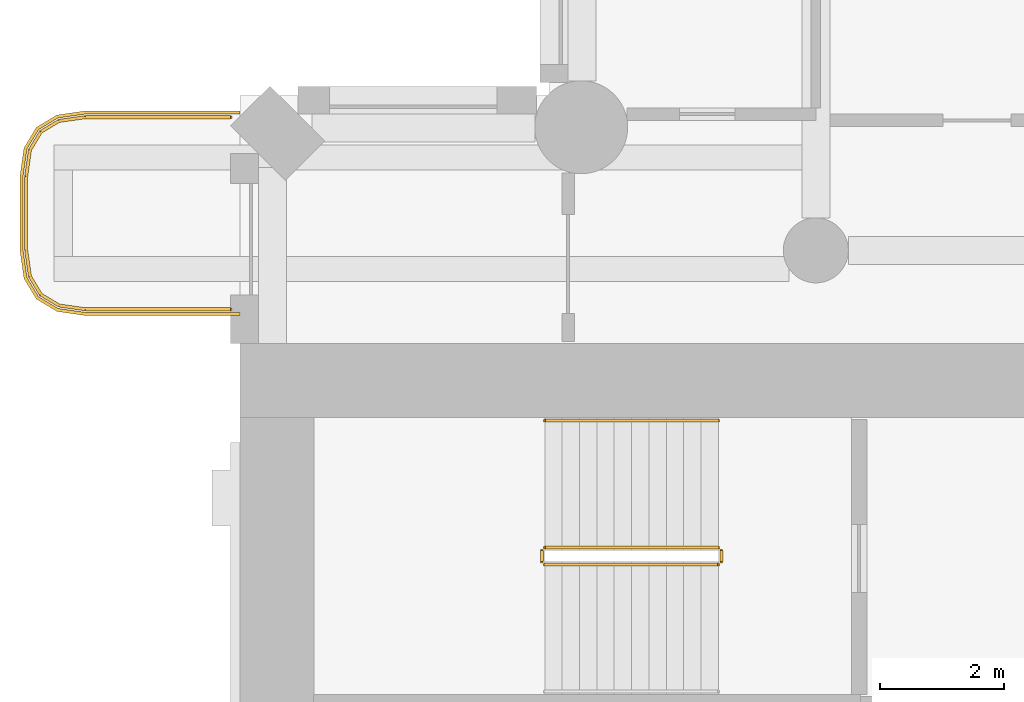
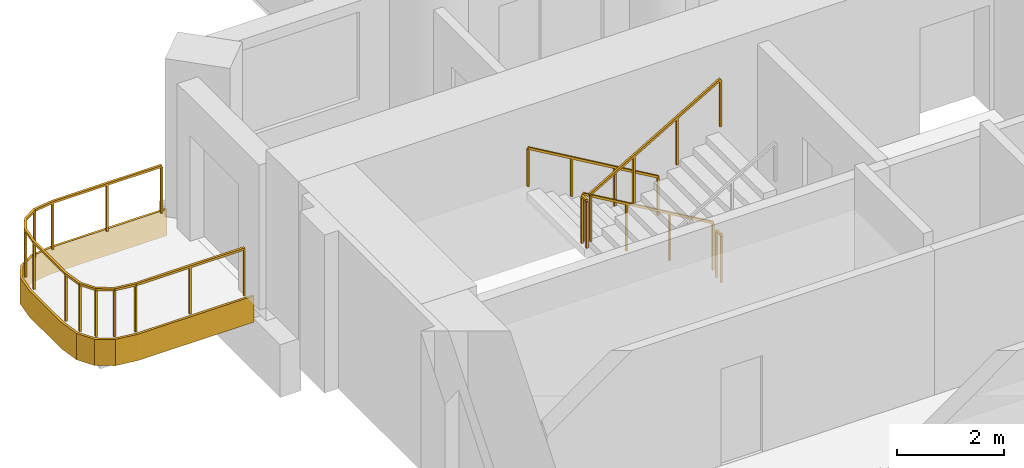
# One storey, part 16 of 19: 6 railings, 1 covering.
"""IFC4 building model written with IfcOpenShell, lengths in metres."""

from ifc_helpers import new_model, si_unit, direction, frame, origin, origin_2d, place, context, subcontext, project, spatial, polyline, rectangle, outline, extrude, material, layer, layer_set, type_object, element, save


model = new_model("IFC4")

# Units and contexts
model_context = context("Model", 3, precision=1e-05, world=origin(), true_north=direction((0.0, 1.0)))
body_context = subcontext(model_context, "Body", "Model", "MODEL_VIEW")
ifc_project = project(units=[si_unit("LENGTHUNIT", "METRE"), si_unit("AREAUNIT", "SQUARE_METRE"), si_unit("VOLUMEUNIT", "CUBIC_METRE"), si_unit("PLANEANGLEUNIT", "RADIAN"), si_unit("MASSUNIT", "GRAM", prefix="KILO")], contexts=[model_context])

# Site, building, storey
site_placement = place(None, origin())
site = spatial("IfcSite", under=ifc_project, at=site_placement, CompositionType="ELEMENT")
building_placement = place(site_placement, origin())
building = spatial("IfcBuilding", under=site, at=building_placement, Name="Cypress Arch Tower", CompositionType="ELEMENT")
storey_placement = place(building_placement, frame((0.0, 0.0, 141.89990234375)))
storey = spatial("IfcBuildingStorey", under=building, at=storey_placement, Name="L31", CompositionType="ELEMENT", Elevation=141.89990234375)

# Covering
ifc_material_1 = material(Name="White powder-coated aluminium fascia", Category="aluminium")
ifc_layer = layer(ifc_material_1, 0.050048828125)
ifc_layer_set = layer_set([ifc_layer], Name="Balcony fascia BF50")
covering_type = type_object("IfcCoveringType", Name="Balcony fascia BF50", PredefinedType="CLADDING", material=ifc_layer_set)
covering_placement = place(storey_placement, frame((0.0, 0.0, -0.599853515625)))
element("IfcCovering", 1, at=covering_placement, inside=storey, type_object=covering_type, Name="Balcony fascia L31-A00W0", PredefinedType="CLADDING", context=body_context, shape_type="SweptSolid", body=[
    extrude(outline(polyline([(-32.503662109375, 16.449951171875), (-32.95458984375, 16.514404296875), (-33.286376953125, 16.713623046875), (-33.485595703125, 17.04541015625), (-33.550048828125, 17.496337890625), (-33.550048828125, 18.70361328125), (-33.485595703125, 19.154541015625), (-33.286376953125, 19.486328125), (-32.95458984375, 19.685546875), (-32.503662109375, 19.75), (-30.0009765625, 19.75), (-30.0009765625, 19.699951171875), (-32.5, 19.699951171875), (-32.9375, 19.637451171875), (-33.25, 19.449951171875), (-33.4375, 19.137451171875), (-33.5, 18.699951171875), (-33.5, 17.5), (-33.4375, 17.0625), (-33.25, 16.75), (-32.9375, 16.5625), (-32.5, 16.5), (-30.0009765625, 16.5), (-30.0009765625, 16.449951171875), (-32.503662109375, 16.449951171875)])), origin(), (0.0, 0.0, 1.0), 0.599853515625),
])

# Railings
ifc_material_2 = material(Name="Powder-coated steel posts and rods, 100 mm clear between rods", Category="steel")
railing_type_1 = type_object("IfcRailingType", Name="Balcony guard GR1100", PredefinedType="GUARDRAIL", material=ifc_material_2)
railing_1_placement = place(storey_placement, frame((-30.14990234375, 16.550048828125, 0.0)))
element("IfcRailing", 2, at=railing_1_placement, inside=storey, type_object=railing_type_1, Name="Balcony guard L31-A00W0", PredefinedType="GUARDRAIL", context=body_context, shape_type="SweptSolid", body=[
    extrude(rectangle(XDim=0.050048828125, YDim=0.050048828125, at=origin_2d()), frame((0.0, 0.0, 1.0751953125), z_axis=(-1.0, 0.0, 0.0), x_axis=(0.0, -1.0, 0.0)), (0.0, 0.0, 1.0), 2.346435546875),
    extrude(rectangle(XDim=0.050048828125, YDim=0.050048828125, at=origin_2d()), frame((-2.346435546875, 0.0, 1.0751953125), z_axis=(-0.989960888959, 0.141341566184, 0.0), x_axis=(-0.141341566184, -0.989960888959, 0.0)), (0.0, 0.0, 1.0), 0.428466796875),
    extrude(rectangle(XDim=0.050048828125, YDim=0.050048828125, at=origin_2d()), frame((-2.7705078125, 0.060546875, 1.0751953125), z_axis=(-0.857681904839, 0.514180659021, 0.0), x_axis=(-0.514180659021, -0.857681904839, 0.0)), (0.0, 0.0, 1.0), 0.341796875),
    extrude(rectangle(XDim=0.050048828125, YDim=0.050048828125, at=origin_2d()), frame((-3.063720703125, 0.236328125, 1.0751953125), z_axis=(-0.514180659021, 0.857681904839, 0.0), x_axis=(-0.857681904839, -0.514180659021, 0.0)), (0.0, 0.0, 1.0), 0.341796875),
    extrude(rectangle(XDim=0.050048828125, YDim=0.050048828125, at=origin_2d()), frame((-3.239501953125, 0.529541015625, 1.0751953125), z_axis=(-0.141341566184, 0.989960888959, 0.0), x_axis=(-0.989960888959, -0.141341566184, 0.0)), (0.0, 0.0, 1.0), 0.428466796875),
    extrude(rectangle(XDim=0.050048828125, YDim=0.050048828125, at=origin_2d()), frame((-3.300048828125, 0.95361328125, 1.0751953125), z_axis=(0.0, 1.0, 0.0), x_axis=(-1.0, 0.0, 0.0)), (0.0, 0.0, 1.0), 1.19287109375),
    extrude(rectangle(XDim=0.050048828125, YDim=0.050048828125, at=origin_2d()), frame((-3.300048828125, 2.146484375, 1.0751953125), z_axis=(0.141421356237, 0.989949493661, 0.0), x_axis=(-0.989949493661, 0.141421356237, 0.0)), (0.0, 0.0, 1.0), 0.42822265625),
    extrude(rectangle(XDim=0.050048828125, YDim=0.050048828125, at=origin_2d()), frame((-3.239501953125, 2.5703125, 1.0751953125), z_axis=(0.514180659021, 0.857681904839, 0.0), x_axis=(-0.857681904839, 0.514180659021, 0.0)), (0.0, 0.0, 1.0), 0.341796875),
    extrude(rectangle(XDim=0.050048828125, YDim=0.050048828125, at=origin_2d()), frame((-3.063720703125, 2.863525390625, 1.0751953125), z_axis=(0.857681904839, 0.514180659021, 0.0), x_axis=(-0.514180659021, 0.857681904839, 0.0)), (0.0, 0.0, 1.0), 0.341796875),
    extrude(rectangle(XDim=0.050048828125, YDim=0.050048828125, at=origin_2d()), frame((-2.7705078125, 3.039306640625, 1.0751953125), z_axis=(0.989960888959, 0.141341566184, 0.0), x_axis=(-0.141341566184, 0.989960888959, 0.0)), (0.0, 0.0, 1.0), 0.428466796875),
    extrude(rectangle(XDim=0.050048828125, YDim=0.050048828125, at=origin_2d()), frame((-2.346435546875, 3.099853515625, 1.0751953125), z_axis=(1.0, 0.0, 0.0), x_axis=(0.0, 1.0, 0.0)), (0.0, 0.0, 1.0), 2.346435546875),
    extrude(rectangle(XDim=0.0400390625, YDim=0.0400390625, at=origin_2d()), origin(), (0.0, 0.0, 1.0), 1.050048828125),
    extrude(rectangle(XDim=0.0400390625, YDim=0.0400390625, at=origin_2d()), frame((-1.17333984375, 0.0, 0.0)), (0.0, 0.0, 1.0), 1.050048828125),
    extrude(rectangle(XDim=0.0400390625, YDim=0.0400390625, at=origin_2d()), frame((-2.346435546875, 0.0, 0.0)), (0.0, 0.0, 1.0), 1.050048828125),
    extrude(rectangle(XDim=0.0400390625, YDim=0.0400390625, at=origin_2d()), frame((-2.7705078125, 0.060546875, 0.0)), (0.0, 0.0, 1.0), 1.050048828125),
    extrude(rectangle(XDim=0.0400390625, YDim=0.0400390625, at=origin_2d()), frame((-3.063720703125, 0.236328125, 0.0)), (0.0, 0.0, 1.0), 1.050048828125),
    extrude(rectangle(XDim=0.0400390625, YDim=0.0400390625, at=origin_2d()), frame((-3.239501953125, 0.529541015625, 0.0)), (0.0, 0.0, 1.0), 1.050048828125),
    extrude(rectangle(XDim=0.0400390625, YDim=0.0400390625, at=origin_2d()), frame((-3.300048828125, 0.95361328125, 0.0)), (0.0, 0.0, 1.0), 1.050048828125),
    extrude(rectangle(XDim=0.0400390625, YDim=0.0400390625, at=origin_2d()), frame((-3.300048828125, 2.146484375, 0.0)), (0.0, 0.0, 1.0), 1.050048828125),
    extrude(rectangle(XDim=0.0400390625, YDim=0.0400390625, at=origin_2d()), frame((-3.239501953125, 2.5703125, 0.0)), (0.0, 0.0, 1.0), 1.050048828125),
    extrude(rectangle(XDim=0.0400390625, YDim=0.0400390625, at=origin_2d()), frame((-3.063720703125, 2.863525390625, 0.0)), (0.0, 0.0, 1.0), 1.050048828125),
    extrude(rectangle(XDim=0.0400390625, YDim=0.0400390625, at=origin_2d()), frame((-2.7705078125, 3.039306640625, 0.0)), (0.0, 0.0, 1.0), 1.050048828125),
    extrude(rectangle(XDim=0.0400390625, YDim=0.0400390625, at=origin_2d()), frame((-2.346435546875, 3.099853515625, 0.0)), (0.0, 0.0, 1.0), 1.050048828125),
    extrude(rectangle(XDim=0.0400390625, YDim=0.0400390625, at=origin_2d()), frame((-1.17333984375, 3.099853515625, 0.0)), (0.0, 0.0, 1.0), 1.050048828125),
    extrude(rectangle(XDim=0.0400390625, YDim=0.0400390625, at=origin_2d()), frame((0.0, 3.099853515625, 0.0)), (0.0, 0.0, 1.0), 1.050048828125),
])
ifc_material_3 = material(Name="Black powder-coated steel square bar 48 mm", Category="steel")
railing_type_2 = type_object("IfcRailingType", Name="Stair handrail HR1", PredefinedType="HANDRAIL", material=ifc_material_3)
railing_2_placement = place(storey_placement, frame((-22.27490234375, 14.75, 0.163818359375)))
element("IfcRailing", 3, at=railing_2_placement, inside=storey, type_object=railing_type_2, Name="L31 B stair handrail 1", PredefinedType="HANDRAIL", context=body_context, shape_type="SweptSolid", body=[
    extrude(rectangle(XDim=0.048095703125, YDim=0.048095703125, at=origin_2d()), frame((0.0, 0.0, 0.8759765625), z_axis=(-0.863393664356, 0.0, 0.504530851732), x_axis=(0.0, -1.0, 0.0)), (0.0, 0.0, 1.0), 3.2431640625),
    extrude(rectangle(XDim=0.0419921875, YDim=0.0419921875, at=origin_2d()), origin(), (0.0, 0.0, 1.0), 0.851806640625),
    extrude(rectangle(XDim=0.0419921875, YDim=0.0419921875, at=origin_2d()), frame((-0.933349609375, 0.0, 0.54541015625)), (0.0, 0.0, 1.0), 0.851806640625),
    extrude(rectangle(XDim=0.0419921875, YDim=0.0419921875, at=origin_2d()), frame((-1.86669921875, 0.0, 1.0908203125)), (0.0, 0.0, 1.0), 0.851806640625),
    extrude(rectangle(XDim=0.0419921875, YDim=0.0419921875, at=origin_2d()), frame((-2.800048828125, 0.0, 1.63623046875)), (0.0, 0.0, 1.0), 0.851806640625),
])
ifc_material_4 = material(Name="Black powder-coated steel balusters", Category="steel")
railing_type_3 = type_object("IfcRailingType", Name="Stair well guard G1", PredefinedType="GUARDRAIL", material=ifc_material_4)
railing_3_placement = place(storey_placement, frame((-22.27490234375, 12.699951171875, 0.163818359375)))
element("IfcRailing", 4, at=railing_3_placement, inside=storey, type_object=railing_type_3, Name="L31 B stair guard 1", PredefinedType="GUARDRAIL", context=body_context, shape_type="SweptSolid", body=[
    extrude(rectangle(XDim=0.048095703125, YDim=0.048095703125, at=origin_2d()), frame((0.0, 0.0, 1.076171875), z_axis=(-0.863393664356, 0.0, 0.504530851732), x_axis=(0.0, -1.0, 0.0)), (0.0, 0.0, 1.0), 3.2431640625),
    extrude(rectangle(XDim=0.0419921875, YDim=0.0419921875, at=origin_2d()), origin(), (0.0, 0.0, 1.0), 1.052001953125),
    extrude(rectangle(XDim=0.0419921875, YDim=0.0419921875, at=origin_2d()), frame((-0.933349609375, 0.0, 0.54541015625)), (0.0, 0.0, 1.0), 1.052001953125),
    extrude(rectangle(XDim=0.0419921875, YDim=0.0419921875, at=origin_2d()), frame((-1.86669921875, 0.0, 1.0908203125)), (0.0, 0.0, 1.0), 1.052001953125),
    extrude(rectangle(XDim=0.0419921875, YDim=0.0419921875, at=origin_2d()), frame((-2.800048828125, 0.0, 1.63623046875)), (0.0, 0.0, 1.0), 1.052001953125),
])
railing_4_placement = place(storey_placement, frame((-25.125, 12.64990234375, 1.800048828125)))
element("IfcRailing", 5, at=railing_4_placement, inside=storey, type_object=railing_type_3, Name="L31 B stair guard 2", PredefinedType="GUARDRAIL", context=body_context, shape_type="SweptSolid", body=[
    extrude(rectangle(XDim=0.048095703125, YDim=0.048095703125, at=origin_2d()), frame((0.0, 0.0, 1.076171875), z_axis=(0.0, -1.0, 0.0), x_axis=(1.0, 0.0, 0.0)), (0.0, 0.0, 1.0), 0.1748046875),
    extrude(rectangle(XDim=0.0419921875, YDim=0.0419921875, at=origin_2d()), origin(), (0.0, 0.0, 1.0), 1.052001953125),
    extrude(rectangle(XDim=0.0419921875, YDim=0.0419921875, at=origin_2d()), frame((0.0, -0.1748046875, 0.0)), (0.0, 0.0, 1.0), 1.052001953125),
])
railing_5_placement = place(storey_placement, frame((-25.074951171875, 12.425048828125, 1.963623046875)))
element("IfcRailing", 6, at=railing_5_placement, inside=storey, type_object=railing_type_3, Name="L31 B stair guard 3", PredefinedType="GUARDRAIL", context=body_context, shape_type="SweptSolid", body=[
    extrude(rectangle(XDim=0.048095703125, YDim=0.048095703125, at=origin_2d()), frame((0.0, 0.0, 1.076171875), z_axis=(0.863360870873, 0.0, 0.504586966384), x_axis=(0.0, 1.0, 0.0)), (0.0, 0.0, 1.0), 3.2431640625),
    extrude(rectangle(XDim=0.0419921875, YDim=0.0419921875, at=origin_2d()), origin(), (0.0, 0.0, 1.0), 1.052001953125),
    extrude(rectangle(XDim=0.0419921875, YDim=0.0419921875, at=origin_2d()), frame((0.933349609375, 0.0, 0.54541015625)), (0.0, 0.0, 1.0), 1.052001953125),
    extrude(rectangle(XDim=0.0419921875, YDim=0.0419921875, at=origin_2d()), frame((1.86669921875, 0.0, 1.091064453125)), (0.0, 0.0, 1.0), 1.052001953125),
    extrude(rectangle(XDim=0.0419921875, YDim=0.0419921875, at=origin_2d()), frame((2.800048828125, 0.0, 1.636474609375)), (0.0, 0.0, 1.0), 1.052001953125),
])
railing_6_placement = place(storey_placement, frame((-22.22509765625, 12.64990234375, 0.0)))
element("IfcRailing", 7, at=railing_6_placement, inside=storey, type_object=railing_type_3, Name="L31 B stair guard 4", PredefinedType="GUARDRAIL", context=body_context, shape_type="SweptSolid", body=[
    extrude(rectangle(XDim=0.048095703125, YDim=0.048095703125, at=origin_2d()), frame((0.0, 0.0, 1.076171875), z_axis=(0.0, -1.0, 0.0), x_axis=(1.0, 0.0, 0.0)), (0.0, 0.0, 1.0), 0.1748046875),
    extrude(rectangle(XDim=0.0419921875, YDim=0.0419921875, at=origin_2d()), origin(), (0.0, 0.0, 1.0), 1.052001953125),
    extrude(rectangle(XDim=0.0419921875, YDim=0.0419921875, at=origin_2d()), frame((0.0, -0.1748046875, 0.0)), (0.0, 0.0, 1.0), 1.052001953125),
])

save(model, "model.ifc")
